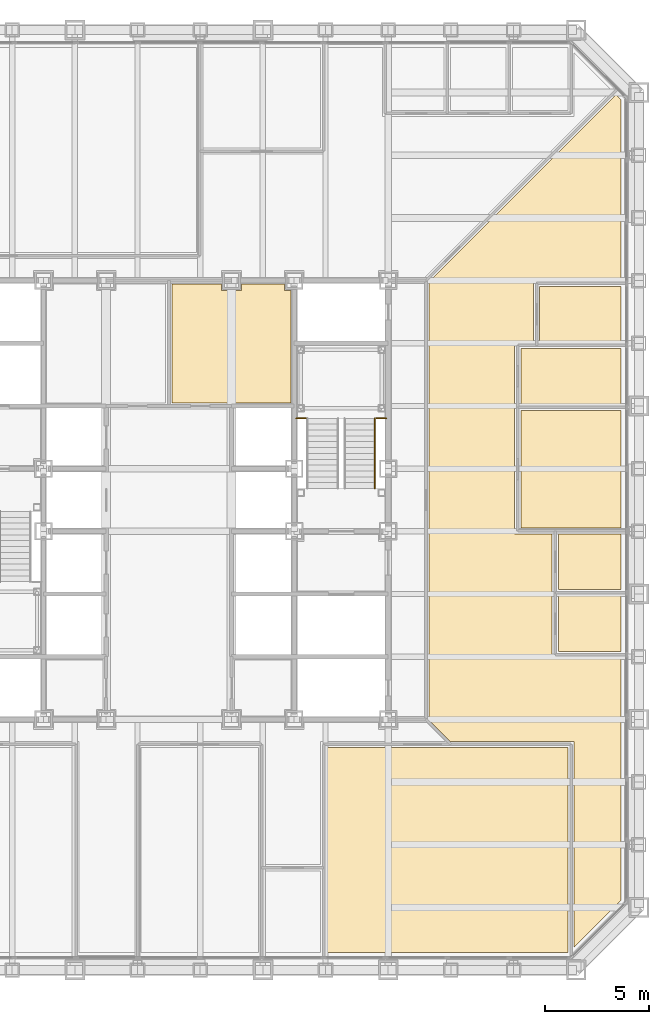
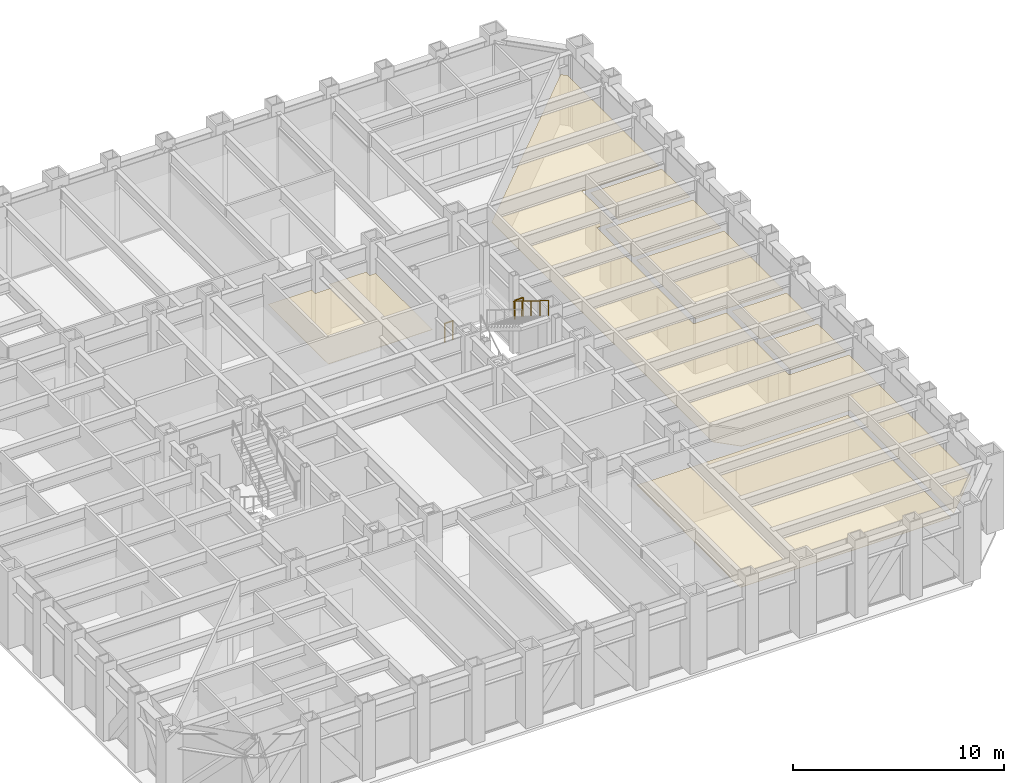
# One storey, part 16 of 17: 8 coverings, 3 railings.
"""IFC4 building model written with IfcOpenShell, lengths in metres."""

from ifc_helpers import new_model, si_unit, direction, frame, origin, origin_2d, place, context, subcontext, project, spatial, polyline, circle, outline, extrude, material, layer, layer_set, type_object, element, save


model = new_model("IFC4")

# Units and contexts
model_context = context("Model", 3, precision=1e-05, world=origin(), true_north=direction((0.0, 1.0)))
body_context = subcontext(model_context, "Body", "Model", "MODEL_VIEW")
ifc_project = project(units=[si_unit("LENGTHUNIT", "METRE"), si_unit("AREAUNIT", "SQUARE_METRE"), si_unit("VOLUMEUNIT", "CUBIC_METRE"), si_unit("PLANEANGLEUNIT", "RADIAN"), si_unit("MASSUNIT", "GRAM", prefix="KILO")], contexts=[model_context])

# Site, building, storey
site_placement = place(None, origin())
site = spatial("IfcSite", under=ifc_project, at=site_placement, CompositionType="ELEMENT")
building_placement = place(site_placement, origin())
building = spatial("IfcBuilding", under=site, at=building_placement, Name="Chuquiago Exchange Tower", CompositionType="ELEMENT")
storey_placement = place(building_placement, frame((0.0, 0.0, 64.800048828125)))
storey = spatial("IfcBuildingStorey", under=building, at=storey_placement, Name="L13", CompositionType="ELEMENT", Elevation=64.800048828125)

# Coverings
ifc_material_1 = material(Name="Mineral fibre tile, 600 x 600, on pale metal grid", Category="mineral fibre")
ifc_layer_1 = layer(ifc_material_1, 0.02001953125)
ifc_layer_set_1 = layer_set([ifc_layer_1], Name="CL1 suspended tile ceiling 20")
covering_type_1 = type_object("IfcCoveringType", Name="CL1 suspended tile ceiling 20", PredefinedType="CEILING", material=ifc_layer_set_1)
covering_1_placement = place(storey_placement, frame((0.0, 0.0, 3.0)))
element("IfcCovering", 1, at=covering_1_placement, inside=storey, type_object=covering_type_1, Name="Ceiling Trading room", PredefinedType="CEILING", context=body_context, shape_type="SweptSolid", body=[
    extrude(outline(polyline([(30.054443359375, 0.85009765625), (30.054443359375, 10.64990234375), (41.6015625, 10.64990234375), (41.6015625, 0.85009765625), (30.054443359375, 0.85009765625)])), origin(), (0.0, 0.0, 1.0), 0.02001953125),
])
covering_2_placement = place(storey_placement, frame((0.0, 0.0, 3.0)))
element("IfcCovering", 2, at=covering_2_placement, inside=storey, type_object=covering_type_1, Name="Ceiling Focus room", PredefinedType="CEILING", context=body_context, shape_type="SweptSolid", body=[
    extrude(outline(polyline([(41.14990234375, 15.24560546875), (41.14990234375, 17.907470703125), (44.14990234375, 17.907470703125), (44.14990234375, 15.24560546875), (41.14990234375, 15.24560546875)])), origin(), (0.0, 0.0, 1.0), 0.02001953125),
])
covering_3_placement = place(storey_placement, frame((0.0, 0.0, 3.0)))
element("IfcCovering", 3, at=covering_3_placement, inside=storey, type_object=covering_type_1, Name="Ceiling Focus room", PredefinedType="CEILING", context=body_context, shape_type="SweptSolid", body=[
    extrude(outline(polyline([(41.14990234375, 18.20751953125), (41.14990234375, 20.869140625), (44.14990234375, 20.869140625), (44.14990234375, 18.20751953125), (41.14990234375, 18.20751953125)])), origin(), (0.0, 0.0, 1.0), 0.02001953125),
])
covering_4_placement = place(storey_placement, frame((0.0, 0.0, 3.0)))
element("IfcCovering", 4, at=covering_4_placement, inside=storey, type_object=covering_type_1, Name="Ceiling Meeting room", PredefinedType="CEILING", context=body_context, shape_type="SweptSolid", body=[
    extrude(outline(polyline([(39.35009765625, 21.169189453125), (39.35009765625, 26.79248046875), (44.14990234375, 26.79248046875), (44.14990234375, 21.169189453125), (39.35009765625, 21.169189453125)])), origin(), (0.0, 0.0, 1.0), 0.02001953125),
])
covering_5_placement = place(storey_placement, frame((0.0, 0.0, 3.0)))
element("IfcCovering", 5, at=covering_5_placement, inside=storey, type_object=covering_type_1, Name="Ceiling Office", PredefinedType="CEILING", context=body_context, shape_type="SweptSolid", body=[
    extrude(outline(polyline([(39.35009765625, 27.092529296875), (39.35009765625, 29.75439453125), (44.14990234375, 29.75439453125), (44.14990234375, 27.092529296875), (39.35009765625, 27.092529296875)])), origin(), (0.0, 0.0, 1.0), 0.02001953125),
])
covering_6_placement = place(storey_placement, frame((0.0, 0.0, 3.0)))
element("IfcCovering", 6, at=covering_6_placement, inside=storey, type_object=covering_type_1, Name="Ceiling Comms room", PredefinedType="CEILING", context=body_context, shape_type="SweptSolid", body=[
    extrude(outline(polyline([(40.25, 30.054443359375), (40.25, 32.71630859375), (44.14990234375, 32.71630859375), (44.14990234375, 30.054443359375), (40.25, 30.054443359375)])), origin(), (0.0, 0.0, 1.0), 0.02001953125),
])
covering_7_placement = place(storey_placement, frame((0.0, 0.0, 3.0)))
element("IfcCovering", 7, at=covering_7_placement, inside=storey, type_object=covering_type_1, Name="Ceiling Trading floor east", PredefinedType="CEILING", context=body_context, shape_type="SweptSolid", body=[
    extrude(outline(polyline([(34.949951171875, 32.9375), (43.905517578125, 41.892578125), (44.14990234375, 41.64794921875), (44.14990234375, 33.01611328125), (39.949951171875, 33.01611328125), (39.949951171875, 30.054443359375), (39.050048828125, 30.054443359375), (39.050048828125, 20.869140625), (40.85009765625, 20.869140625), (40.85009765625, 14.945556640625), (44.14990234375, 14.945556640625), (44.14990234375, 3.35205078125), (41.901611328125, 1.103515625), (41.901611328125, 10.949951171875), (35.948974609375, 10.949951171875), (34.949951171875, 11.948974609375), (34.949951171875, 32.9375)])), origin(), (0.0, 0.0, 1.0), 0.02001953125),
])
ifc_material_2 = material(Name="Moisture resistant plasterboard on metal frame", Category="gypsum")
ifc_layer_2 = layer(ifc_material_2, 0.014892578125)
ifc_layer_set_2 = layer_set([ifc_layer_2], Name="CL2 moisture resistant ceiling 15")
covering_type_2 = type_object("IfcCoveringType", Name="CL2 moisture resistant ceiling 15", PredefinedType="CEILING", material=ifc_layer_set_2)
covering_8_placement = place(storey_placement, frame((0.0, 0.0, 2.599853515625)))
element("IfcCovering", 8, at=covering_8_placement, inside=storey, type_object=covering_type_2, Name="Ceiling Female WC", PredefinedType="CEILING", context=body_context, shape_type="SweptSolid", body=[
    extrude(outline(polyline([(22.64990234375, 27.14990234375), (22.64990234375, 32.85009765625), (25.02490234375, 32.85009765625), (25.02490234375, 32.52490234375), (25.97509765625, 32.52490234375), (25.97509765625, 32.85009765625), (28.02490234375, 32.85009765625), (28.02490234375, 32.52490234375), (28.35009765625, 32.52490234375), (28.35009765625, 27.14990234375), (22.64990234375, 27.14990234375)])), origin(), (0.0, 0.0, 1.0), 0.01513671875),
])

# Railings
ifc_material_3 = material(Name="Pale metal guard with safety glass infill", Category="glass")
railing_type_1 = type_object("IfcRailingType", Name="GR1 guard 1100", PredefinedType="GUARDRAIL", material=ifc_material_3)
for number, where, name in (
    (9, (28.60009765625, 26.409912109375, 2.25), "Guard ST2 L13 landing 2"),
    (10, (32.445068359375, 26.409912109375, 2.25), "Guard ST2 L13 landing 2"),
):
    element("IfcRailing", number, at=place(storey_placement, frame(where)), inside=storey, type_object=railing_type_1, Name=name, PredefinedType="GUARDRAIL", context=body_context, shape_type="SweptSolid", body=[
        extrude(circle(Radius=0.02392578125, at=origin_2d()), frame((0.0, 0.0, 1.076171875), z_axis=(1.0, 0.0, 0.0), x_axis=(0.0, 1.0, 0.0)), (0.0, 0.0, 1.0), 0.454833984375),
        extrude(circle(Radius=0.02099609375, at=origin_2d()), origin(), (0.0, 0.0, 1.0), 1.052001953125),
        extrude(circle(Radius=0.02099609375, at=origin_2d()), frame((0.454833984375, 0.0, 0.0)), (0.0, 0.0, 1.0), 1.052001953125),
    ])
ifc_material_4 = material(Name="Pale metal handrail", Category="steel")
railing_type_2 = type_object("IfcRailingType", Name="HR1 handrail 900", PredefinedType="HANDRAIL", material=ifc_material_4)
railing_placement = place(storey_placement, frame((32.364990234375, 26.409912109375, 2.423095703125)))
element("IfcRailing", 11, at=railing_placement, inside=storey, type_object=railing_type_2, Name="Handrail ST2 L13 flight 2", PredefinedType="HANDRAIL", context=body_context, shape_type="SweptSolid", body=[
    extrude(circle(Radius=0.02392578125, at=origin_2d()), frame((0.0, 0.0, 0.8759765625), z_axis=(0.0, -0.850606129759, 0.525803396734), x_axis=(1.0, 0.0, 0.0)), (0.0, 0.0, 1.0), 3.949951171875),
    extrude(circle(Radius=0.02099609375, at=origin_2d()), origin(), (0.0, 0.0, 1.0), 0.851806640625),
    extrude(circle(Radius=0.02099609375, at=origin_2d()), frame((0.0, -0.83984375, 0.519287109375)), (0.0, 0.0, 1.0), 0.851806640625),
    extrude(circle(Radius=0.02099609375, at=origin_2d()), frame((0.0, -1.679931640625, 1.03857421875)), (0.0, 0.0, 1.0), 0.851806640625),
    extrude(circle(Radius=0.02099609375, at=origin_2d()), frame((0.0, -2.52001953125, 1.5576171875)), (0.0, 0.0, 1.0), 0.851806640625),
    extrude(circle(Radius=0.02099609375, at=origin_2d()), frame((0.0, -3.35986328125, 2.076904296875)), (0.0, 0.0, 1.0), 0.851806640625),
])

save(model, "model.ifc")
